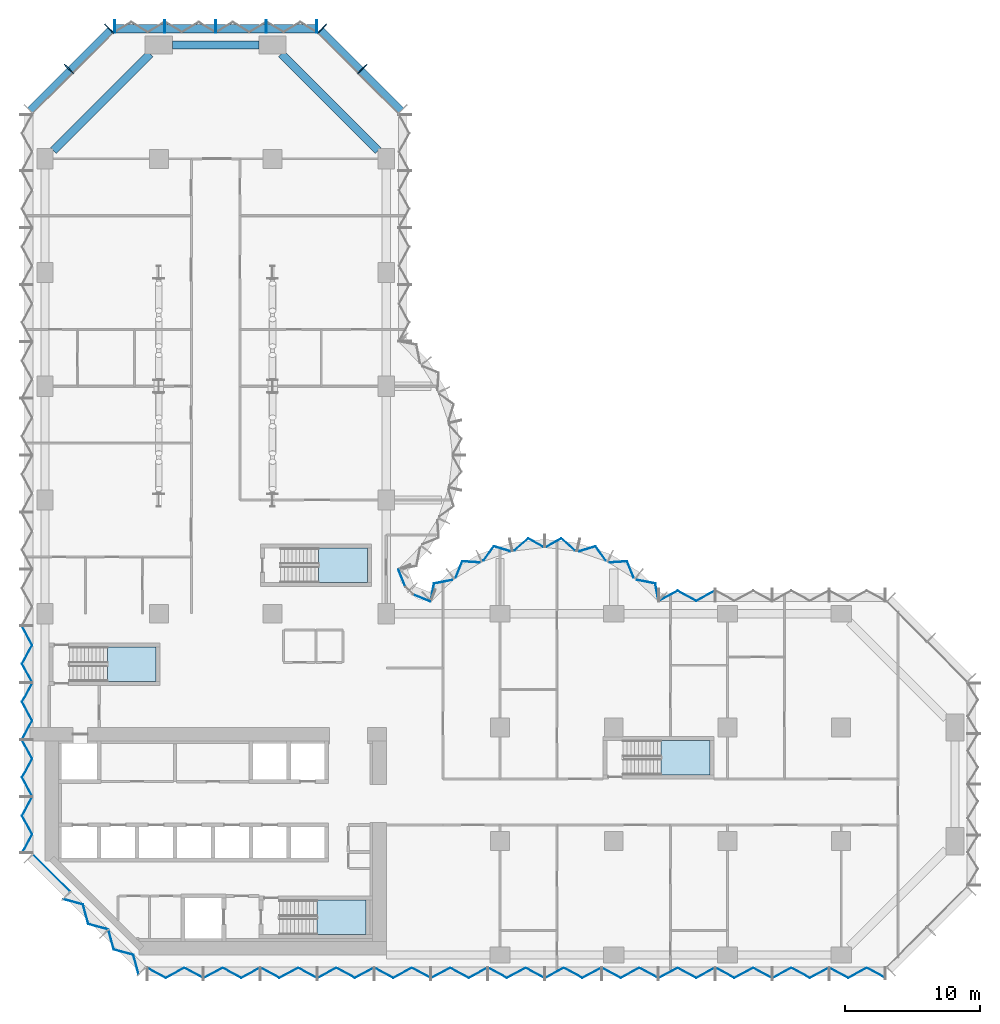
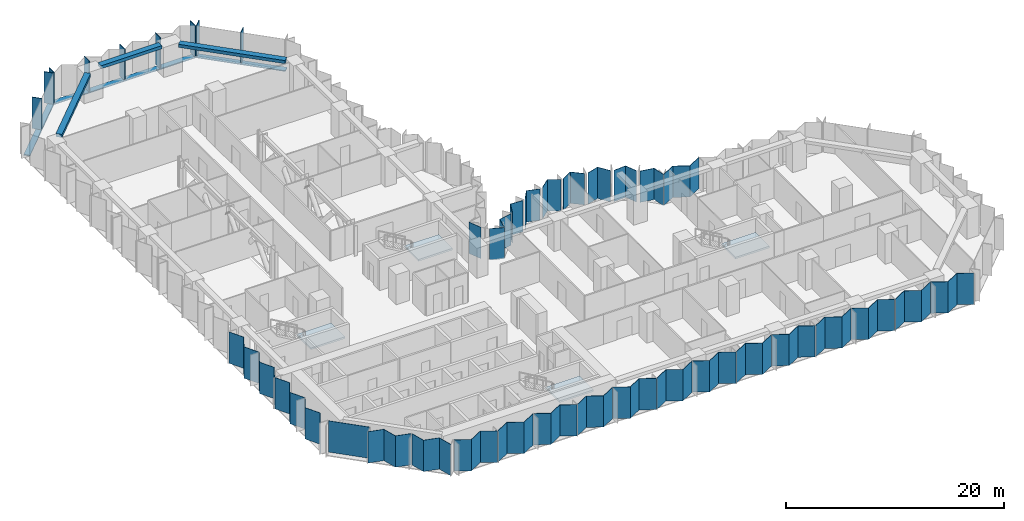
# One storey, part 6 of 18: 31 plates, 12 members, 4 slabs, 3 beams, 13 elements without a shape of their own.
"""IFC4 building model written with IfcOpenShell, lengths in metres."""

from ifc_helpers import new_model, si_unit, direction, frame, origin, origin_2d, place, context, subcontext, project, spatial, polyline, rectangle, outline, extrude, material, layer, layer_set, material_profile, profile_set, type_object, element, aggregate, save


model = new_model("IFC4")

# Units and contexts
model_context = context("Model", 3, precision=1e-05, world=origin(), true_north=direction((0.0, 1.0)))
body_context = subcontext(model_context, "Body", "Model", "MODEL_VIEW")
ifc_project = project(units=[si_unit("LENGTHUNIT", "METRE"), si_unit("AREAUNIT", "SQUARE_METRE"), si_unit("VOLUMEUNIT", "CUBIC_METRE"), si_unit("PLANEANGLEUNIT", "RADIAN"), si_unit("MASSUNIT", "GRAM", prefix="KILO")], contexts=[model_context])

# Site, building, storey
site_placement = place(None, origin())
site = spatial("IfcSite", under=ifc_project, at=site_placement, CompositionType="ELEMENT")
building_placement = place(site_placement, origin())
building = spatial("IfcBuilding", under=site, at=building_placement, Name="Brevane Broadcast Tower", CompositionType="ELEMENT")
storey_placement = place(building_placement, frame((0.0, 0.0, 40.10009765625)))
storey = spatial("IfcBuildingStorey", under=building, at=storey_placement, Name="L07", CompositionType="ELEMENT", Elevation=40.10009765625)

# Curtain wall, members
ifc_material_1 = material(Name="Aluminium 6063-T6 bronze anodised", Category="aluminium")
curtain_wall_type = type_object("IfcCurtainWallType", Name="CW-1 curtain wall", PredefinedType="NOTDEFINED", material=ifc_material_1)
curtain_wall_1_placement = place(storey_placement, origin())
curtain_wall_1 = element("IfcCurtainWall", 1, at=curtain_wall_1_placement, inside=storey, type_object=curtain_wall_type, Name="CW-1 typical tilted unit L07 north arm north-east chamfer", PredefinedType="NOTDEFINED")
ifc_material_profile_1 = material_profile(ifc_material_1, rectangle(XDim=0.949951171875, YDim=0.070068359375, at=origin_2d()), Name="RECT 70x950")
ifc_profile_set_1 = profile_set([ifc_material_profile_1], Name="Aluminium 6063-T6 bronze anodised")
member_type_1 = type_object("IfcMemberType", Name="CW-1 mullion 70x950", PredefinedType="MULLION", material=ifc_profile_set_1)
member_1_placement = place(storey_placement, frame((23.435791015625, 65.435791015625, -0.150146484375), z_axis=(0.0, 0.0, 1.0), x_axis=(-0.707106781187, -0.707106781187, 0.0)))
member_1 = element("IfcMember", 2, at=member_1_placement, type_object=member_type_1, Name="CW-1 mullion", PredefinedType="MULLION", context=body_context, shape_type="SweptSolid", body=[
    extrude(rectangle(XDim=0.949951171875, YDim=0.070068359375, at=origin_2d()), origin(), (0.0, 0.0, 1.0), 3.5),
])
member_2_placement = place(storey_placement, frame((20.460693359375, 68.4111328125, -0.150146484375), z_axis=(0.0, 0.0, 1.0), x_axis=(-0.707106781187, -0.707106781187, 0.0)))
member_2 = element("IfcMember", 3, at=member_2_placement, type_object=member_type_1, Name="CW-1 mullion", PredefinedType="MULLION", context=body_context, shape_type="SweptSolid", body=[
    extrude(rectangle(XDim=0.949951171875, YDim=0.070068359375, at=origin_2d()), origin(), (0.0, 0.0, 1.0), 3.5),
])

curtain_wall_2_placement = place(storey_placement, origin())
curtain_wall_2 = element("IfcCurtainWall", 4, at=curtain_wall_2_placement, inside=storey, type_object=curtain_wall_type, Name="CW-1 typical tilted unit L07 north end", PredefinedType="NOTDEFINED")
member_3_placement = place(storey_placement, frame((20.06494140625, 68.574951171875, -0.150146484375), z_axis=(0.0, 0.0, 1.0), x_axis=(0.0, -1.0, 0.0)))
member_3 = element("IfcMember", 5, at=member_3_placement, type_object=member_type_1, Name="CW-1 mullion", PredefinedType="MULLION", context=body_context, shape_type="SweptSolid", body=[
    extrude(rectangle(XDim=0.949951171875, YDim=0.070068359375, at=origin_2d()), origin(), (0.0, 0.0, 1.0), 3.5),
])
member_4_placement = place(storey_placement, frame((16.35009765625, 68.574951171875, -0.150146484375), z_axis=(0.0, 0.0, 1.0), x_axis=(0.0, -1.0, 0.0)))
member_4 = element("IfcMember", 6, at=member_4_placement, type_object=member_type_1, Name="CW-1 mullion", PredefinedType="MULLION", context=body_context, shape_type="SweptSolid", body=[
    extrude(rectangle(XDim=0.949951171875, YDim=0.070068359375, at=origin_2d()), origin(), (0.0, 0.0, 1.0), 3.5),
])
member_5_placement = place(storey_placement, frame((12.60009765625, 68.574951171875, -0.150146484375), z_axis=(0.0, 0.0, 1.0), x_axis=(0.0, -1.0, 0.0)))
member_5 = element("IfcMember", 7, at=member_5_placement, type_object=member_type_1, Name="CW-1 mullion", PredefinedType="MULLION", context=body_context, shape_type="SweptSolid", body=[
    extrude(rectangle(XDim=0.949951171875, YDim=0.070068359375, at=origin_2d()), origin(), (0.0, 0.0, 1.0), 3.5),
])
member_6_placement = place(storey_placement, frame((8.85009765625, 68.574951171875, -0.150146484375), z_axis=(0.0, 0.0, 1.0), x_axis=(0.0, -1.0, 0.0)))
member_6 = element("IfcMember", 8, at=member_6_placement, type_object=member_type_1, Name="CW-1 mullion", PredefinedType="MULLION", context=body_context, shape_type="SweptSolid", body=[
    extrude(rectangle(XDim=0.949951171875, YDim=0.070068359375, at=origin_2d()), origin(), (0.0, 0.0, 1.0), 3.5),
])
member_7_placement = place(storey_placement, frame((5.135009765625, 68.574951171875, -0.150146484375), z_axis=(0.0, 0.0, 1.0), x_axis=(0.0, -1.0, 0.0)))
member_7 = element("IfcMember", 9, at=member_7_placement, type_object=member_type_1, Name="CW-1 mullion", PredefinedType="MULLION", context=body_context, shape_type="SweptSolid", body=[
    extrude(rectangle(XDim=0.949951171875, YDim=0.070068359375, at=origin_2d()), origin(), (0.0, 0.0, 1.0), 3.5),
])

curtain_wall_3_placement = place(storey_placement, origin())
curtain_wall_3 = element("IfcCurtainWall", 10, at=curtain_wall_3_placement, inside=storey, type_object=curtain_wall_type, Name="CW-1 typical tilted unit L07 north-west chamfer", PredefinedType="NOTDEFINED")
member_8_placement = place(storey_placement, frame((4.7392578125, 68.4111328125, -0.150146484375), z_axis=(0.0, 0.0, 1.0), x_axis=(0.707106781187, -0.707106781187, 0.0)))
member_8 = element("IfcMember", 11, at=member_8_placement, type_object=member_type_1, Name="CW-1 mullion", PredefinedType="MULLION", context=body_context, shape_type="SweptSolid", body=[
    extrude(rectangle(XDim=0.949951171875, YDim=0.070068359375, at=origin_2d()), origin(), (0.0, 0.0, 1.0), 3.5),
])
member_9_placement = place(storey_placement, frame((1.76416015625, 65.435791015625, -0.150146484375), z_axis=(0.0, 0.0, 1.0), x_axis=(0.707106781187, -0.707106781187, 0.0)))
member_9 = element("IfcMember", 12, at=member_9_placement, type_object=member_type_1, Name="CW-1 mullion", PredefinedType="MULLION", context=body_context, shape_type="SweptSolid", body=[
    extrude(rectangle(XDim=0.949951171875, YDim=0.070068359375, at=origin_2d()), origin(), (0.0, 0.0, 1.0), 3.5),
])

# Member
ifc_material_profile_2 = material_profile(ifc_material_1, rectangle(XDim=0.60009765625, YDim=0.10009765625, at=origin_2d()), Name="RECT 100x600")
ifc_profile_set_2 = profile_set([ifc_material_profile_2], Name="Aluminium 6063-T6 bronze anodised")
member_type_2 = type_object("IfcMemberType", Name="CW-1 transom 100x600", PredefinedType="USERDEFINED", material=ifc_profile_set_2)
member_10_placement = place(storey_placement, frame((26.31201171875, 62.31201171875, -0.2001953125), z_axis=(-0.707106781187, 0.707106781187, 0.0), x_axis=(-0.707106781187, -0.707106781187, 0.0)))
member_10 = element("IfcMember", 13, at=member_10_placement, type_object=member_type_2, Name="CW-1 transom", ObjectType="TRANSOM", PredefinedType="USERDEFINED", context=body_context, shape_type="SweptSolid", body=[
    extrude(rectangle(XDim=0.60009765625, YDim=0.10009765625, at=origin_2d()), origin(), (0.0, 0.0, 1.0), 8.4853515625),
])

aggregate(curtain_wall_1, [member_1, member_2, member_10])

member_11_placement = place(storey_placement, frame((20.10009765625, 68.39990234375, -0.2001953125), z_axis=(-1.0, 0.0, 0.0), x_axis=(0.0, -1.0, 0.0)))
member_11 = element("IfcMember", 14, at=member_11_placement, type_object=member_type_2, Name="CW-1 transom", ObjectType="TRANSOM", PredefinedType="USERDEFINED", context=body_context, shape_type="SweptSolid", body=[
    extrude(rectangle(XDim=0.60009765625, YDim=0.10009765625, at=origin_2d()), origin(), (0.0, 0.0, 1.0), 15.0),
])

aggregate(curtain_wall_2, [member_3, member_4, member_5, member_6, member_7, member_11])

member_12_placement = place(storey_placement, frame((4.887939453125, 68.31201171875, -0.2001953125), z_axis=(-0.707106781187, -0.707106781187, 0.0), x_axis=(0.707106781187, -0.707106781187, 0.0)))
member_12 = element("IfcMember", 15, at=member_12_placement, type_object=member_type_2, Name="CW-1 transom", ObjectType="TRANSOM", PredefinedType="USERDEFINED", context=body_context, shape_type="SweptSolid", body=[
    extrude(rectangle(XDim=0.60009765625, YDim=0.10009765625, at=origin_2d()), origin(), (0.0, 0.0, 1.0), 8.4853515625),
])

aggregate(curtain_wall_3, [member_8, member_9, member_12])

# Beams
ifc_material_2 = material(Name="Concrete C40/50", Category="concrete")
ifc_material_profile_3 = material_profile(ifc_material_2, rectangle(XDim=0.60009765625, YDim=0.35009765625, at=origin_2d()), Name="RC 600x350")
ifc_profile_set_3 = profile_set([ifc_material_profile_3], Name="Concrete C40/50")
beam_type = type_object("IfcBeamType", Name="RC SPANDREL BEAM 600x350 C40/50", PredefinedType="SPANDREL", material=ifc_profile_set_3)
beam_1_placement = place(storey_placement, frame((24.60009765625, 59.39990234375, 3.1748046875), z_axis=(-0.707106781187, 0.707106781187, 0.0), x_axis=(-0.707106781187, -0.707106781187, 0.0)))
element("IfcBeam", 16, at=beam_1_placement, inside=storey, type_object=beam_type, Name="EB1 L07-16", PredefinedType="SPANDREL", context=body_context, shape_type="SweptSolid", body=[
    extrude(rectangle(XDim=0.60009765625, YDim=0.35009765625, at=origin_2d()), origin(), (0.0, 0.0, 1.0), 10.11181640625),
])
beam_2_placement = place(storey_placement, frame((15.800048828125, 67.199951171875, 3.1748046875), z_axis=(-1.0, 0.0, 0.0), x_axis=(0.0, -1.0, 0.0)))
element("IfcBeam", 17, at=beam_2_placement, inside=storey, type_object=beam_type, Name="EB1 L07-17", PredefinedType="SPANDREL", context=body_context, shape_type="SweptSolid", body=[
    extrude(rectangle(XDim=0.60009765625, YDim=0.35009765625, at=origin_2d()), origin(), (0.0, 0.0, 1.0), 6.400146484375),
])
beam_3_placement = place(storey_placement, frame((7.75, 66.550048828125, 3.1748046875), z_axis=(-0.707094708853, -0.707118853314, 0.0), x_axis=(0.707118853314, -0.707094708853, 0.0)))
element("IfcBeam", 18, at=beam_3_placement, inside=storey, type_object=beam_type, Name="EB1 L07-18", PredefinedType="SPANDREL", context=body_context, shape_type="SweptSolid", body=[
    extrude(rectangle(XDim=0.60009765625, YDim=0.35009765625, at=origin_2d()), origin(), (0.0, 0.0, 1.0), 10.111572265625),
])

# Curtain wall, plates
curtain_wall_4_placement = place(storey_placement, origin())
curtain_wall_4 = element("IfcCurtainWall", 19, at=curtain_wall_4_placement, inside=storey, type_object=curtain_wall_type, Name="CW-1 typical tilted unit L07 south face", PredefinedType="NOTDEFINED")
ifc_material_3 = material(Name="Laminated glass bronze-tinted", Category="glass")
ifc_layer_1 = layer(ifc_material_3, 0.0400390625)
ifc_layer_set_1 = layer_set([ifc_layer_1], Name="CW tall glass panel 40")
plate_type = type_object("IfcPlateType", Name="CW tall glass panel 40", PredefinedType="CURTAIN_PANEL", material=ifc_layer_set_1)
plate_1_placement = place(storey_placement, frame((0.0, 0.0, -0.150146484375)))
plate_1 = element("IfcPlate", 20, at=plate_1_placement, type_object=plate_type, Name="CW-1 glass panel", PredefinedType="CURTAIN_PANEL", context=body_context, shape_type="SweptSolid", body=[
    extrude(outline(polyline([(7.534912109375, -0.92724609375), (7.534912109375, -0.97265625), (8.91162109375, -1.717041015625), (10.288330078125, -0.97265625), (11.6650390625, -1.717041015625), (11.6650390625, -1.671630859375), (10.288330078125, -0.92724609375), (8.91162109375, -1.671630859375), (7.534912109375, -0.92724609375)])), origin(), (0.0, 0.0, 1.0), 3.5),
])
plate_2_placement = place(storey_placement, frame((0.0, 0.0, -0.150146484375)))
plate_2 = element("IfcPlate", 21, at=plate_2_placement, type_object=plate_type, Name="CW-1 glass panel", PredefinedType="CURTAIN_PANEL", context=body_context, shape_type="SweptSolid", body=[
    extrude(outline(polyline([(11.735107421875, -1.671630859375), (11.735107421875, -1.717041015625), (13.11181640625, -0.97265625), (14.48828125, -1.717041015625), (15.864990234375, -0.97265625), (15.864990234375, -0.92724609375), (14.48828125, -1.671630859375), (13.11181640625, -0.92724609375), (11.735107421875, -1.671630859375)])), origin(), (0.0, 0.0, 1.0), 3.5),
])
plate_3_placement = place(storey_placement, frame((0.0, 0.0, -0.150146484375)))
plate_3 = element("IfcPlate", 22, at=plate_3_placement, type_object=plate_type, Name="CW-1 glass panel", PredefinedType="CURTAIN_PANEL", context=body_context, shape_type="SweptSolid", body=[
    extrude(outline(polyline([(15.93505859375, -0.92724609375), (15.93505859375, -0.97265625), (17.311767578125, -1.717041015625), (18.688232421875, -0.97265625), (20.06494140625, -1.717041015625), (20.06494140625, -1.671630859375), (18.688232421875, -0.92724609375), (17.311767578125, -1.671630859375), (15.93505859375, -0.92724609375)])), origin(), (0.0, 0.0, 1.0), 3.5),
])
plate_4_placement = place(storey_placement, frame((0.0, 0.0, -0.150146484375)))
plate_4 = element("IfcPlate", 23, at=plate_4_placement, type_object=plate_type, Name="CW-1 glass panel", PredefinedType="CURTAIN_PANEL", context=body_context, shape_type="SweptSolid", body=[
    extrude(outline(polyline([(20.135009765625, -1.671630859375), (20.135009765625, -1.717041015625), (21.51171875, -0.97265625), (22.88818359375, -1.717041015625), (24.264892578125, -0.97265625), (24.264892578125, -0.92724609375), (22.88818359375, -1.671630859375), (21.51171875, -0.92724609375), (20.135009765625, -1.671630859375)])), origin(), (0.0, 0.0, 1.0), 3.5),
])
plate_5_placement = place(storey_placement, frame((0.0, 0.0, -0.150146484375)))
plate_5 = element("IfcPlate", 24, at=plate_5_placement, type_object=plate_type, Name="CW-1 glass panel", PredefinedType="CURTAIN_PANEL", context=body_context, shape_type="SweptSolid", body=[
    extrude(outline(polyline([(24.3349609375, -0.92724609375), (24.3349609375, -0.97265625), (25.711669921875, -1.717041015625), (27.08837890625, -0.97265625), (28.465087890625, -1.717041015625), (28.465087890625, -1.671630859375), (27.08837890625, -0.92724609375), (25.711669921875, -1.671630859375), (24.3349609375, -0.92724609375)])), origin(), (0.0, 0.0, 1.0), 3.5),
])
plate_6_placement = place(storey_placement, frame((0.0, 0.0, -0.150146484375)))
plate_6 = element("IfcPlate", 25, at=plate_6_placement, type_object=plate_type, Name="CW-1 glass panel", PredefinedType="CURTAIN_PANEL", context=body_context, shape_type="SweptSolid", body=[
    extrude(outline(polyline([(28.534912109375, -1.671630859375), (28.534912109375, -1.717041015625), (29.91162109375, -0.97265625), (31.288330078125, -1.717041015625), (32.6650390625, -0.97265625), (32.6650390625, -0.92724609375), (31.288330078125, -1.671630859375), (29.91162109375, -0.92724609375), (28.534912109375, -1.671630859375)])), origin(), (0.0, 0.0, 1.0), 3.5),
])
plate_7_placement = place(storey_placement, frame((0.0, 0.0, -0.150146484375)))
plate_7 = element("IfcPlate", 26, at=plate_7_placement, type_object=plate_type, Name="CW-1 glass panel", PredefinedType="CURTAIN_PANEL", context=body_context, shape_type="SweptSolid", body=[
    extrude(outline(polyline([(32.735107421875, -0.92724609375), (32.735107421875, -0.97265625), (34.11181640625, -1.717041015625), (35.48828125, -0.97265625), (36.864990234375, -1.717041015625), (36.864990234375, -1.671630859375), (35.48828125, -0.92724609375), (34.11181640625, -1.671630859375), (32.735107421875, -0.92724609375)])), origin(), (0.0, 0.0, 1.0), 3.5),
])
plate_8_placement = place(storey_placement, frame((0.0, 0.0, -0.150146484375)))
plate_8 = element("IfcPlate", 27, at=plate_8_placement, type_object=plate_type, Name="CW-1 glass panel", PredefinedType="CURTAIN_PANEL", context=body_context, shape_type="SweptSolid", body=[
    extrude(outline(polyline([(36.93505859375, -1.671630859375), (36.93505859375, -1.717041015625), (38.311767578125, -0.97265625), (39.688232421875, -1.717041015625), (41.06494140625, -0.97265625), (41.06494140625, -0.92724609375), (39.688232421875, -1.671630859375), (38.311767578125, -0.92724609375), (36.93505859375, -1.671630859375)])), origin(), (0.0, 0.0, 1.0), 3.5),
])
plate_9_placement = place(storey_placement, frame((0.0, 0.0, -0.150146484375)))
plate_9 = element("IfcPlate", 28, at=plate_9_placement, type_object=plate_type, Name="CW-1 glass panel", PredefinedType="CURTAIN_PANEL", context=body_context, shape_type="SweptSolid", body=[
    extrude(outline(polyline([(41.135009765625, -0.92724609375), (41.135009765625, -0.97265625), (42.51171875, -1.717041015625), (43.88818359375, -0.97265625), (45.264892578125, -1.717041015625), (45.264892578125, -1.671630859375), (43.88818359375, -0.92724609375), (42.51171875, -1.671630859375), (41.135009765625, -0.92724609375)])), origin(), (0.0, 0.0, 1.0), 3.5),
])
plate_10_placement = place(storey_placement, frame((0.0, 0.0, -0.150146484375)))
plate_10 = element("IfcPlate", 29, at=plate_10_placement, type_object=plate_type, Name="CW-1 glass panel", PredefinedType="CURTAIN_PANEL", context=body_context, shape_type="SweptSolid", body=[
    extrude(outline(polyline([(45.3349609375, -1.671630859375), (45.3349609375, -1.717041015625), (46.711669921875, -0.97265625), (48.08837890625, -1.717041015625), (49.465087890625, -0.97265625), (49.465087890625, -0.92724609375), (48.08837890625, -1.671630859375), (46.711669921875, -0.92724609375), (45.3349609375, -1.671630859375)])), origin(), (0.0, 0.0, 1.0), 3.5),
])
plate_11_placement = place(storey_placement, frame((0.0, 0.0, -0.150146484375)))
plate_11 = element("IfcPlate", 30, at=plate_11_placement, type_object=plate_type, Name="CW-1 glass panel", PredefinedType="CURTAIN_PANEL", context=body_context, shape_type="SweptSolid", body=[
    extrude(outline(polyline([(49.534912109375, -0.92724609375), (49.534912109375, -0.97265625), (50.91162109375, -1.717041015625), (52.288330078125, -0.97265625), (53.6650390625, -1.717041015625), (53.6650390625, -1.671630859375), (52.288330078125, -0.92724609375), (50.91162109375, -1.671630859375), (49.534912109375, -0.92724609375)])), origin(), (0.0, 0.0, 1.0), 3.5),
])
plate_12_placement = place(storey_placement, frame((0.0, 0.0, -0.150146484375)))
plate_12 = element("IfcPlate", 31, at=plate_12_placement, type_object=plate_type, Name="CW-1 glass panel", PredefinedType="CURTAIN_PANEL", context=body_context, shape_type="SweptSolid", body=[
    extrude(outline(polyline([(53.735107421875, -1.671630859375), (53.735107421875, -1.717041015625), (55.11181640625, -0.97265625), (56.48828125, -1.717041015625), (57.864990234375, -0.97265625), (57.864990234375, -0.92724609375), (56.48828125, -1.671630859375), (55.11181640625, -0.92724609375), (53.735107421875, -1.671630859375)])), origin(), (0.0, 0.0, 1.0), 3.5),
])
plate_13_placement = place(storey_placement, frame((0.0, 0.0, -0.150146484375)))
plate_13 = element("IfcPlate", 32, at=plate_13_placement, type_object=plate_type, Name="CW-1 glass panel", PredefinedType="CURTAIN_PANEL", context=body_context, shape_type="SweptSolid", body=[
    extrude(outline(polyline([(57.93505859375, -0.92724609375), (57.93505859375, -0.97265625), (59.311767578125, -1.717041015625), (60.688232421875, -0.97265625), (62.06494140625, -1.717041015625), (62.06494140625, -1.671630859375), (60.688232421875, -0.92724609375), (59.311767578125, -1.671630859375), (57.93505859375, -0.92724609375)])), origin(), (0.0, 0.0, 1.0), 3.5),
])
aggregate(curtain_wall_4, [plate_1, plate_2, plate_3, plate_4, plate_5, plate_6, plate_7, plate_8, plate_9, plate_10, plate_11, plate_12, plate_13])

# Curtain wall, plate
curtain_wall_5_placement = place(storey_placement, origin())
curtain_wall_5 = element("IfcCurtainWall", 33, at=curtain_wall_5_placement, inside=storey, type_object=curtain_wall_type, Name="CW-1 typical tilted unit L07 east arm north face", PredefinedType="NOTDEFINED")
plate_14_placement = place(storey_placement, frame((0.0, 0.0, -0.150146484375)))
plate_14 = element("IfcPlate", 34, at=plate_14_placement, type_object=plate_type, Name="CW-1 glass panel", PredefinedType="CURTAIN_PANEL", context=body_context, shape_type="SweptSolid", body=[
    extrude(outline(polyline([(49.465087890625, 26.87158203125), (49.465087890625, 26.9169921875), (48.08837890625, 26.172607421875), (46.711669921875, 26.9169921875), (45.3349609375, 26.172607421875), (45.3349609375, 26.127197265625), (46.711669921875, 26.87158203125), (48.08837890625, 26.127197265625), (49.465087890625, 26.87158203125)])), origin(), (0.0, 0.0, 1.0), 3.5),
])
aggregate(curtain_wall_5, [plate_14])

# Curtain wall, plates
curtain_wall_6_placement = place(storey_placement, origin())
curtain_wall_6 = element("IfcCurtainWall", 35, at=curtain_wall_6_placement, inside=storey, type_object=curtain_wall_type, Name="CW-1 typical tilted unit L07 east bow", PredefinedType="NOTDEFINED")
plate_15_placement = place(storey_placement, frame((0.0, 0.0, -0.150146484375)))
plate_15 = element("IfcPlate", 36, at=plate_15_placement, type_object=plate_type, Name="CW-1 glass panel", PredefinedType="CURTAIN_PANEL", context=body_context, shape_type="SweptSolid", body=[
    extrude(outline(polyline([(45.2939453125, 26.14404296875), (45.327880859375, 26.17919921875), (45.086181640625, 27.447265625), (43.738525390625, 27.71142578125), (43.7109375, 27.67626953125), (45.052001953125, 27.4130859375), (45.2939453125, 26.14404296875)])), origin(), (0.0, 0.0, 1.0), 3.5),
])
plate_16_placement = place(storey_placement, frame((0.0, 0.0, -0.150146484375)))
plate_16 = element("IfcPlate", 37, at=plate_16_placement, type_object=plate_type, Name="CW-1 glass panel", PredefinedType="CURTAIN_PANEL", context=body_context, shape_type="SweptSolid", body=[
    extrude(outline(polyline([(43.45703125, 27.8759765625), (43.4853515625, 27.912109375), (43.00390625, 29.089111328125), (41.710693359375, 29.006591796875), (41.69091796875, 28.96533203125), (42.977783203125, 29.04736328125), (43.45703125, 27.8759765625)])), origin(), (0.0, 0.0, 1.0), 3.5),
])
plate_17_placement = place(storey_placement, frame((0.0, 0.0, -0.150146484375)))
plate_17 = element("IfcPlate", 38, at=plate_17_placement, type_object=plate_type, Name="CW-1 glass panel", PredefinedType="CURTAIN_PANEL", context=body_context, shape_type="SweptSolid", body=[
    extrude(outline(polyline([(41.3994140625, 29.104248046875), (41.4189453125, 29.1455078125), (40.667724609375, 30.20166015625), (39.45068359375, 29.83349609375), (39.440185546875, 29.78857421875), (40.65185546875, 30.155029296875), (41.3994140625, 29.104248046875)])), origin(), (0.0, 0.0, 1.0), 3.5),
])
plate_18_placement = place(storey_placement, frame((0.0, 0.0, -0.150146484375)))
plate_18 = element("IfcPlate", 39, at=plate_18_placement, type_object=plate_type, Name="CW-1 glass panel", PredefinedType="CURTAIN_PANEL", context=body_context, shape_type="SweptSolid", body=[
    extrude(outline(polyline([(39.125, 29.859619140625), (39.13525390625, 29.903564453125), (38.116943359375, 30.779296875), (37.008056640625, 30.15869140625), (37.008056640625, 30.11279296875), (38.112060546875, 30.730712890625), (39.125, 29.859619140625)])), origin(), (0.0, 0.0, 1.0), 3.5),
])
plate_19_placement = place(storey_placement, frame((0.0, 0.0, -0.150146484375)))
plate_19 = element("IfcPlate", 40, at=plate_19_placement, type_object=plate_type, Name="CW-1 glass panel", PredefinedType="CURTAIN_PANEL", context=body_context, shape_type="SweptSolid", body=[
    extrude(outline(polyline([(36.7919921875, 30.11279296875), (36.7919921875, 30.15869140625), (35.68310546875, 30.779296875), (34.664794921875, 29.903564453125), (34.6748046875, 29.859619140625), (35.68798828125, 30.730712890625), (36.7919921875, 30.11279296875)])), origin(), (0.0, 0.0, 1.0), 3.5),
])
plate_20_placement = place(storey_placement, frame((0.0, 0.0, -0.150146484375)))
plate_20 = element("IfcPlate", 41, at=plate_20_placement, type_object=plate_type, Name="CW-1 glass panel", PredefinedType="CURTAIN_PANEL", context=body_context, shape_type="SweptSolid", body=[
    extrude(outline(polyline([(34.359619140625, 29.78857421875), (34.349365234375, 29.83349609375), (33.132080078125, 30.20166015625), (32.381103515625, 29.1455078125), (32.400634765625, 29.104248046875), (33.148193359375, 30.155029296875), (34.359619140625, 29.78857421875)])), origin(), (0.0, 0.0, 1.0), 3.5),
])
plate_21_placement = place(storey_placement, frame((0.0, 0.0, -0.150146484375)))
plate_21 = element("IfcPlate", 42, at=plate_21_placement, type_object=plate_type, Name="CW-1 glass panel", PredefinedType="CURTAIN_PANEL", context=body_context, shape_type="SweptSolid", body=[
    extrude(outline(polyline([(32.10888671875, 28.96533203125), (32.08935546875, 29.006591796875), (30.7958984375, 29.089111328125), (30.314697265625, 27.912109375), (30.343017578125, 27.8759765625), (30.822265625, 29.04736328125), (32.10888671875, 28.96533203125)])), origin(), (0.0, 0.0, 1.0), 3.5),
])
plate_22_placement = place(storey_placement, frame((0.0, 0.0, -0.150146484375)))
plate_22 = element("IfcPlate", 43, at=plate_22_placement, type_object=plate_type, Name="CW-1 glass panel", PredefinedType="CURTAIN_PANEL", context=body_context, shape_type="SweptSolid", body=[
    extrude(outline(polyline([(30.089111328125, 27.67626953125), (30.0615234375, 27.71142578125), (28.7138671875, 27.447265625), (28.471923828125, 26.17919921875), (28.506103515625, 26.14404296875), (28.748046875, 27.4130859375), (30.089111328125, 27.67626953125)])), origin(), (0.0, 0.0, 1.0), 3.5),
])
aggregate(curtain_wall_6, [plate_15, plate_16, plate_17, plate_18, plate_19, plate_20, plate_21, plate_22])

curtain_wall_7_placement = place(storey_placement, origin())
curtain_wall_7 = element("IfcCurtainWall", 44, at=curtain_wall_7_placement, inside=storey, type_object=curtain_wall_type, Name="CW-1 typical tilted unit L07 inner corner", PredefinedType="NOTDEFINED")
plate_23_placement = place(storey_placement, frame((0.0, 0.0, -0.150146484375)))
plate_23 = element("IfcPlate", 45, at=plate_23_placement, type_object=plate_type, Name="CW-1 glass panel", PredefinedType="CURTAIN_PANEL", context=body_context, shape_type="SweptSolid", body=[
    extrude(outline(polyline([(28.45166015625, 26.07470703125), (28.466796875, 26.111572265625), (27.2021484375, 26.635498046875), (27.17138671875, 26.60498046875), (28.45166015625, 26.07470703125)])), origin(), (0.0, 0.0, 1.0), 3.5),
])
plate_24_placement = place(storey_placement, frame((0.0, 0.0, -0.150146484375)))
plate_24 = element("IfcPlate", 46, at=plate_24_placement, type_object=plate_type, Name="CW-1 glass panel", PredefinedType="CURTAIN_PANEL", context=body_context, shape_type="SweptSolid", body=[
    extrude(outline(polyline([(26.60498046875, 27.17138671875), (26.635498046875, 27.2021484375), (26.111572265625, 28.466796875), (26.07470703125, 28.45166015625), (26.60498046875, 27.17138671875)])), origin(), (0.0, 0.0, 1.0), 3.5),
])
aggregate(curtain_wall_7, [plate_23, plate_24])

curtain_wall_8_placement = place(storey_placement, origin())
curtain_wall_8 = element("IfcCurtainWall", 47, at=curtain_wall_8_placement, inside=storey, type_object=curtain_wall_type, Name="CW-1 typical tilted unit L07 west face", PredefinedType="NOTDEFINED")
plate_25_placement = place(storey_placement, frame((0.0, 0.0, -0.150146484375)))
plate_25 = element("IfcPlate", 48, at=plate_25_placement, type_object=plate_type, Name="CW-1 glass panel", PredefinedType="CURTAIN_PANEL", context=body_context, shape_type="SweptSolid", body=[
    extrude(outline(polyline([(-1.671630859375, 24.264892578125), (-1.717041015625, 24.264892578125), (-0.97265625, 22.88818359375), (-1.717041015625, 21.51171875), (-0.97265625, 20.135009765625), (-0.92724609375, 20.135009765625), (-1.671630859375, 21.51171875), (-0.92724609375, 22.88818359375), (-1.671630859375, 24.264892578125)])), origin(), (0.0, 0.0, 1.0), 3.5),
])
plate_26_placement = place(storey_placement, frame((0.0, 0.0, -0.150146484375)))
plate_26 = element("IfcPlate", 49, at=plate_26_placement, type_object=plate_type, Name="CW-1 glass panel", PredefinedType="CURTAIN_PANEL", context=body_context, shape_type="SweptSolid", body=[
    extrude(outline(polyline([(-0.92724609375, 20.06494140625), (-0.97265625, 20.06494140625), (-1.717041015625, 18.688232421875), (-0.97265625, 17.311767578125), (-1.717041015625, 15.93505859375), (-1.671630859375, 15.93505859375), (-0.92724609375, 17.311767578125), (-1.671630859375, 18.688232421875), (-0.92724609375, 20.06494140625)])), origin(), (0.0, 0.0, 1.0), 3.5),
])
plate_27_placement = place(storey_placement, frame((0.0, 0.0, -0.150146484375)))
plate_27 = element("IfcPlate", 50, at=plate_27_placement, type_object=plate_type, Name="CW-1 glass panel", PredefinedType="CURTAIN_PANEL", context=body_context, shape_type="SweptSolid", body=[
    extrude(outline(polyline([(-1.671630859375, 15.864990234375), (-1.717041015625, 15.864990234375), (-0.97265625, 14.48828125), (-1.717041015625, 13.11181640625), (-0.97265625, 11.735107421875), (-0.92724609375, 11.735107421875), (-1.671630859375, 13.11181640625), (-0.92724609375, 14.48828125), (-1.671630859375, 15.864990234375)])), origin(), (0.0, 0.0, 1.0), 3.5),
])
plate_28_placement = place(storey_placement, frame((0.0, 0.0, -0.150146484375)))
plate_28 = element("IfcPlate", 51, at=plate_28_placement, type_object=plate_type, Name="CW-1 glass panel", PredefinedType="CURTAIN_PANEL", context=body_context, shape_type="SweptSolid", body=[
    extrude(outline(polyline([(-0.92724609375, 11.6650390625), (-0.97265625, 11.6650390625), (-1.717041015625, 10.288330078125), (-0.97265625, 8.91162109375), (-1.717041015625, 7.534912109375), (-1.671630859375, 7.534912109375), (-0.92724609375, 8.91162109375), (-1.671630859375, 10.288330078125), (-0.92724609375, 11.6650390625)])), origin(), (0.0, 0.0, 1.0), 3.5),
])
aggregate(curtain_wall_8, [plate_25, plate_26, plate_27, plate_28])

curtain_wall_9_placement = place(storey_placement, origin())
curtain_wall_9 = element("IfcCurtainWall", 52, at=curtain_wall_9_placement, inside=storey, type_object=curtain_wall_type, Name="CW-1 typical tilted unit L07 south-west chamfer", PredefinedType="NOTDEFINED")
plate_29_placement = place(storey_placement, frame((0.0, 0.0, -0.150146484375)))
plate_29 = element("IfcPlate", 53, at=plate_29_placement, type_object=plate_type, Name="CW-1 glass panel", PredefinedType="CURTAIN_PANEL", context=body_context, shape_type="SweptSolid", body=[
    extrude(outline(polyline([(-0.896484375, 7.4541015625), (1.85400390625, 4.70361328125), (1.82568359375, 4.67529296875), (-0.9248046875, 7.42578125), (-0.896484375, 7.4541015625)])), origin(), (0.0, 0.0, 1.0), 3.5),
])
plate_30_placement = place(storey_placement, frame((0.0, 0.0, -0.150146484375)))
plate_30 = element("IfcPlate", 54, at=plate_30_placement, type_object=plate_type, Name="CW-1 glass panel", PredefinedType="CURTAIN_PANEL", context=body_context, shape_type="SweptSolid", body=[
    extrude(outline(polyline([(1.37939453125, 4.1298828125), (1.3466796875, 4.09716796875), (2.789794921875, 3.706787109375), (3.180419921875, 2.263671875), (4.62353515625, 1.873046875), (4.65625, 1.90576171875), (3.212890625, 2.296142578125), (2.822509765625, 3.739501953125), (1.37939453125, 4.1298828125)])), origin(), (0.0, 0.0, 1.0), 3.5),
])
plate_31_placement = place(storey_placement, frame((0.0, 0.0, -0.150146484375)))
plate_31 = element("IfcPlate", 55, at=plate_31_placement, type_object=plate_type, Name="CW-1 glass panel", PredefinedType="CURTAIN_PANEL", context=body_context, shape_type="SweptSolid", body=[
    extrude(outline(polyline([(4.705810546875, 1.856201171875), (4.673095703125, 1.823486328125), (5.063720703125, 0.38037109375), (6.5068359375, -0.010009765625), (6.897216796875, -1.453369140625), (6.9296875, -1.420654296875), (6.539306640625, 0.0224609375), (5.09619140625, 0.4130859375), (4.705810546875, 1.856201171875)])), origin(), (0.0, 0.0, 1.0), 3.5),
])
aggregate(curtain_wall_9, [plate_29, plate_30, plate_31])

# Stair, slab
ifc_material_4 = material(Name="Concrete C50/60", Category="concrete")
stair_type = type_object("IfcStairType", Name="Exit stair 22 risers", PredefinedType="HALF_TURN_STAIR", material=ifc_material_4)
stair_1_placement = place(storey_placement, origin())
stair_1 = element("IfcStair", 56, at=stair_1_placement, inside=storey, type_object=stair_type, Name="L07 Exit stair ST-1", PredefinedType="HALF_TURN_STAIR")
ifc_layer_2 = layer(ifc_material_4, 0.199951171875)
ifc_layer_set_2 = layer_set([ifc_layer_2], Name="Exit stair landing")
slab_type = type_object("IfcSlabType", Name="Exit stair landing", PredefinedType="LANDING", material=ifc_layer_set_2)
slab_1_placement = place(storey_placement, frame((0.0, 0.0, 1.599853515625)))
slab_1 = element("IfcSlab", 57, at=slab_1_placement, type_object=slab_type, Name="ST-1 landing 1", PredefinedType="LANDING", context=body_context, shape_type="SweptSolid", body=[
    extrude(outline(polyline([(4.60009765625, 20.199951171875), (8.199951171875, 20.199951171875), (8.199951171875, 22.75), (4.60009765625, 22.75), (4.60009765625, 20.199951171875)])), origin(), (0.0, 0.0, 1.0), 0.199951171875),
])
aggregate(stair_1, [slab_1])

stair_2_placement = place(storey_placement, origin())
stair_2 = element("IfcStair", 58, at=stair_2_placement, inside=storey, type_object=stair_type, Name="L07 Exit stair ST-2", PredefinedType="HALF_TURN_STAIR")
slab_2_placement = place(storey_placement, frame((0.0, 0.0, 1.599853515625)))
slab_2 = element("IfcSlab", 59, at=slab_2_placement, type_object=slab_type, Name="ST-2 landing 1", PredefinedType="LANDING", context=body_context, shape_type="SweptSolid", body=[
    extrude(outline(polyline([(20.10009765625, 1.5), (23.699951171875, 1.5), (23.699951171875, 4.050048828125), (20.10009765625, 4.050048828125), (20.10009765625, 1.5)])), origin(), (0.0, 0.0, 1.0), 0.199951171875),
])
aggregate(stair_2, [slab_2])

stair_3_placement = place(storey_placement, origin())
stair_3 = element("IfcStair", 60, at=stair_3_placement, inside=storey, type_object=stair_type, Name="L07 Exit stair ST-3", PredefinedType="HALF_TURN_STAIR")
slab_3_placement = place(storey_placement, frame((0.0, 0.0, 1.599853515625)))
slab_3 = element("IfcSlab", 61, at=slab_3_placement, type_object=slab_type, Name="ST-3 landing 1", PredefinedType="LANDING", context=body_context, shape_type="SweptSolid", body=[
    extrude(outline(polyline([(20.199951171875, 27.5), (23.800048828125, 27.5), (23.800048828125, 30.050048828125), (20.199951171875, 30.050048828125), (20.199951171875, 27.5)])), origin(), (0.0, 0.0, 1.0), 0.199951171875),
])
aggregate(stair_3, [slab_3])

stair_4_placement = place(storey_placement, origin())
stair_4 = element("IfcStair", 62, at=stair_4_placement, inside=storey, type_object=stair_type, Name="L07 Exit stair ST-4", PredefinedType="HALF_TURN_STAIR")
slab_4_placement = place(storey_placement, frame((0.0, 0.0, 1.599853515625)))
slab_4 = element("IfcSlab", 63, at=slab_4_placement, type_object=slab_type, Name="ST-4 landing 1", PredefinedType="LANDING", context=body_context, shape_type="SweptSolid", body=[
    extrude(outline(polyline([(45.5, 13.300048828125), (49.10009765625, 13.300048828125), (49.10009765625, 15.85009765625), (45.5, 15.85009765625), (45.5, 13.300048828125)])), origin(), (0.0, 0.0, 1.0), 0.199951171875),
])
aggregate(stair_4, [slab_4])

save(model, "model.ifc")
